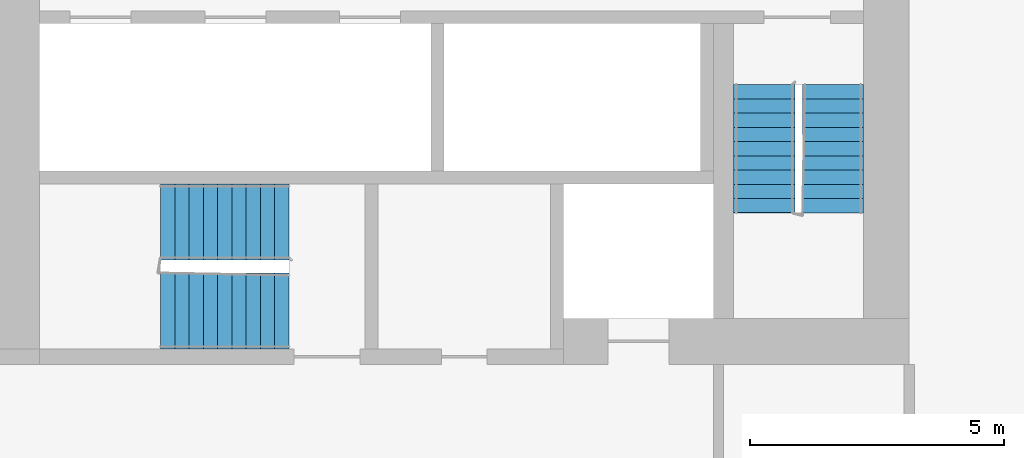
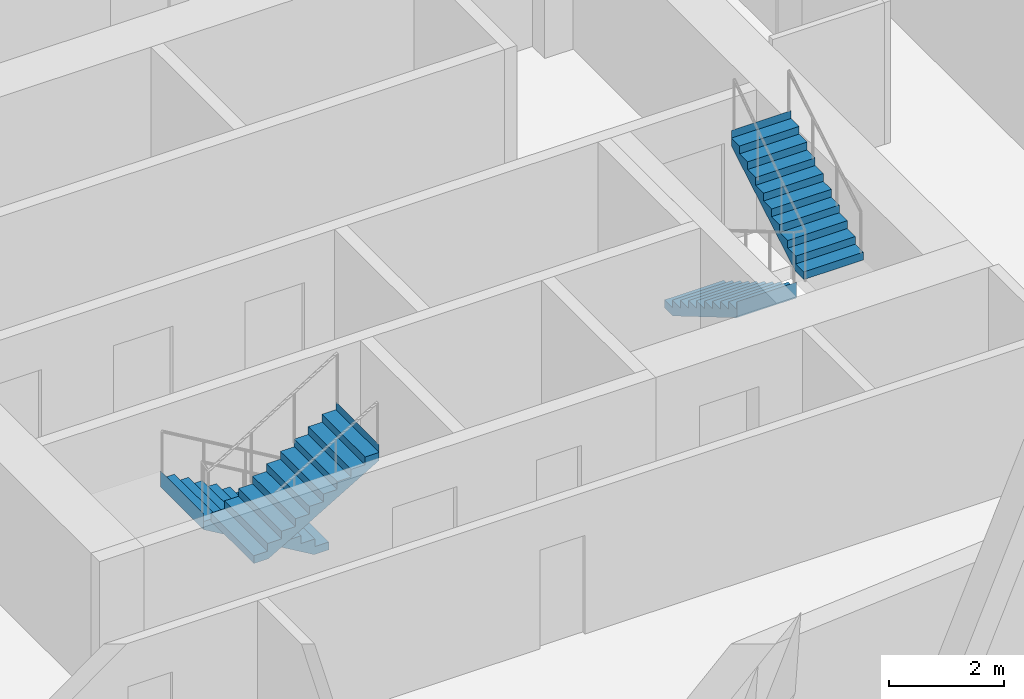
# One storey, part 9 of 13: 4 stair flights, 2 elements without a shape of their own.
"""IFC4 building model written with IfcOpenShell, lengths in metres."""

from ifc_helpers import new_model, si_unit, direction, frame, origin, place, context, subcontext, project, spatial, faceted_brep, material, type_object, element, aggregate, save


model = new_model("IFC4")

# Units and contexts
model_context = context("Model", 3, precision=1e-05, world=origin(), true_north=direction((0.0, 1.0)))
body_context = subcontext(model_context, "Body", "Model", "MODEL_VIEW")
ifc_project = project(units=[si_unit("LENGTHUNIT", "METRE"), si_unit("AREAUNIT", "SQUARE_METRE"), si_unit("VOLUMEUNIT", "CUBIC_METRE"), si_unit("PLANEANGLEUNIT", "RADIAN"), si_unit("MASSUNIT", "GRAM", prefix="KILO")], contexts=[model_context])

# Site, building, storey
site_placement = place(None, origin())
site = spatial("IfcSite", under=ifc_project, at=site_placement, CompositionType="ELEMENT")
building_placement = place(site_placement, origin())
building = spatial("IfcBuilding", under=site, at=building_placement, Name="Kajstack Hotel Tower", CompositionType="ELEMENT")
storey_placement = place(building_placement, frame((0.0, 0.0, 140.5)))
storey = spatial("IfcBuildingStorey", under=building, at=storey_placement, Name="L32", CompositionType="ELEMENT", Elevation=140.5)

# Stair, stair flights
ifc_material = material(Name="Concrete C40/50", Category="concrete")
stair_type_1 = type_object("IfcStairType", Name="Exit stair 1200", PredefinedType="HALF_TURN_STAIR", material=ifc_material)
stair_1_placement = place(storey_placement, origin())
stair_1 = element("IfcStair", 1, at=stair_1_placement, inside=storey, type_object=stair_type_1, Name="L32 stair W2", PredefinedType="HALF_TURN_STAIR")
stair_flight_type_1 = type_object("IfcStairFlightType", Name="Exit stair flight 1200", PredefinedType="STRAIGHT", material=ifc_material)
stair_flight_1_placement = place(storey_placement, frame((-16.35009765625, -10.0, 0.0), z_axis=(0.0, 0.0, 1.0), x_axis=(0.0, -1.0, 0.0)))
stair_flight_1 = element("IfcStairFlight", 2, at=stair_flight_1_placement, type_object=stair_flight_type_1, Name="W2 flight 1", NumberOfRisers=10, NumberOfTreads=9, PredefinedType="STRAIGHT", RiserHeight=0.165, TreadLength=0.28, context=body_context, shape_type="Brep", body=[
    faceted_brep([(0.295654296875, -0.60009765625, 0.0), (2.5205078125, -0.60009765625, 1.31103515625), (2.5205078125, -0.60009765625, 1.64990234375), (2.52001953125, -0.60009765625, 1.64990234375), (2.52001953125, -0.60009765625, 1.485107421875), (2.239990234375, -0.60009765625, 1.485107421875), (2.239990234375, -0.60009765625, 1.320068359375), (1.9599609375, -0.60009765625, 1.320068359375), (1.9599609375, -0.60009765625, 1.155029296875), (1.679931640625, -0.60009765625, 1.155029296875), (1.679931640625, -0.60009765625, 0.989990234375), (1.39990234375, -0.60009765625, 0.989990234375), (1.39990234375, -0.60009765625, 0.824951171875), (1.1201171875, -0.60009765625, 0.824951171875), (1.1201171875, -0.60009765625, 0.659912109375), (0.840087890625, -0.60009765625, 0.659912109375), (0.840087890625, -0.60009765625, 0.4951171875), (0.56005859375, -0.60009765625, 0.4951171875), (0.56005859375, -0.60009765625, 0.330078125), (0.280029296875, -0.60009765625, 0.330078125), (0.280029296875, -0.60009765625, 0.1650390625), (-0.00048828125, -0.60009765625, 0.1650390625), (-0.00048828125, -0.60009765625, 0.0), (-0.00048828125, 0.60009765625, 0.0), (-0.00048828125, 0.60009765625, 0.1650390625), (0.280029296875, 0.60009765625, 0.1650390625), (0.280029296875, 0.60009765625, 0.330078125), (0.56005859375, 0.60009765625, 0.330078125), (0.56005859375, 0.60009765625, 0.4951171875), (0.840087890625, 0.60009765625, 0.4951171875), (0.840087890625, 0.60009765625, 0.659912109375), (1.1201171875, 0.60009765625, 0.659912109375), (1.1201171875, 0.60009765625, 0.824951171875), (1.39990234375, 0.60009765625, 0.824951171875), (1.39990234375, 0.60009765625, 0.989990234375), (1.679931640625, 0.60009765625, 0.989990234375), (1.679931640625, 0.60009765625, 1.155029296875), (1.9599609375, 0.60009765625, 1.155029296875), (1.9599609375, 0.60009765625, 1.320068359375), (2.239990234375, 0.60009765625, 1.320068359375), (2.239990234375, 0.60009765625, 1.485107421875), (2.52001953125, 0.60009765625, 1.485107421875), (2.52001953125, 0.60009765625, 1.64990234375), (2.5205078125, 0.60009765625, 1.64990234375), (2.5205078125, 0.60009765625, 1.31103515625), (0.295654296875, 0.60009765625, 0.0), (-0.00048828125, -0.300048828125, 0.1650390625), (-0.00048828125, 0.0, 0.1650390625), (-0.00048828125, 0.300048828125, 0.1650390625), (-0.00048828125, 0.300048828125, 0.0), (-0.00048828125, 0.0, 0.0), (-0.00048828125, -0.300048828125, 0.0), (0.280029296875, -0.300048828125, 0.1650390625), (0.280029296875, 0.0, 0.1650390625), (0.280029296875, 0.300048828125, 0.1650390625), (0.280029296875, -0.300048828125, 0.330078125), (0.280029296875, 0.0, 0.330078125), (0.280029296875, 0.300048828125, 0.330078125), (0.56005859375, -0.300048828125, 0.330078125), (0.56005859375, 0.0, 0.330078125), (0.56005859375, 0.300048828125, 0.330078125), (0.56005859375, -0.300048828125, 0.4951171875), (0.56005859375, 0.0, 0.4951171875), (0.56005859375, 0.300048828125, 0.4951171875), (0.840087890625, -0.300048828125, 0.4951171875), (0.840087890625, 0.0, 0.4951171875), (0.840087890625, 0.300048828125, 0.4951171875), (0.840087890625, -0.300048828125, 0.659912109375), (0.840087890625, 0.0, 0.659912109375), (0.840087890625, 0.300048828125, 0.659912109375), (1.1201171875, -0.300048828125, 0.659912109375), (1.1201171875, 0.0, 0.659912109375), (1.1201171875, 0.300048828125, 0.659912109375), (1.1201171875, -0.300048828125, 0.824951171875), (1.1201171875, 0.0, 0.824951171875), (1.1201171875, 0.300048828125, 0.824951171875), (1.39990234375, -0.300048828125, 0.824951171875), (1.39990234375, 0.0, 0.824951171875), (1.39990234375, 0.300048828125, 0.824951171875), (1.39990234375, -0.300048828125, 0.989990234375), (1.39990234375, 0.0, 0.989990234375), (1.39990234375, 0.300048828125, 0.989990234375), (1.679931640625, -0.300048828125, 0.989990234375), (1.679931640625, 0.0, 0.989990234375), (1.679931640625, 0.300048828125, 0.989990234375), (1.679931640625, -0.300048828125, 1.155029296875), (1.679931640625, 0.0, 1.155029296875), (1.679931640625, 0.300048828125, 1.155029296875), (1.9599609375, -0.300048828125, 1.155029296875), (1.9599609375, 0.0, 1.155029296875), (1.9599609375, 0.300048828125, 1.155029296875), (1.9599609375, -0.300048828125, 1.320068359375), (1.9599609375, 0.0, 1.320068359375), (1.9599609375, 0.300048828125, 1.320068359375), (2.239990234375, -0.300048828125, 1.320068359375), (2.239990234375, 0.0, 1.320068359375), (2.239990234375, 0.300048828125, 1.320068359375), (2.239990234375, -0.300048828125, 1.485107421875), (2.239990234375, 0.0, 1.485107421875), (2.239990234375, 0.300048828125, 1.485107421875), (2.52001953125, -0.300048828125, 1.485107421875), (2.52001953125, 0.0, 1.485107421875), (2.52001953125, 0.300048828125, 1.485107421875), (2.52001953125, -0.300048828125, 1.64990234375), (2.52001953125, 0.0, 1.64990234375), (2.52001953125, 0.300048828125, 1.64990234375), (2.5205078125, -0.300048828125, 1.64990234375), (2.5205078125, 0.0, 1.64990234375), (2.5205078125, 0.300048828125, 1.64990234375), (2.5205078125, -0.300048828125, 1.31103515625), (2.5205078125, 0.0, 1.31103515625), (2.5205078125, 0.300048828125, 1.31103515625), (0.295654296875, -0.300048828125, 0.0), (0.295654296875, 0.0, 0.0), (0.295654296875, 0.300048828125, 0.0)], [[[0, 1, 2, 3, 4, 5, 6, 7, 8, 9, 10, 11, 12, 13, 14, 15, 16, 17, 18, 19, 20, 21, 22]], [[23, 24, 25, 26, 27, 28, 29, 30, 31, 32, 33, 34, 35, 36, 37, 38, 39, 40, 41, 42, 43, 44, 45]], [[21, 46, 47, 48, 24, 23, 49, 50, 51, 22]], [[20, 52, 53, 54, 25, 24, 48, 47, 46, 21]], [[19, 55, 56, 57, 26, 25, 54, 53, 52, 20]], [[18, 58, 59, 60, 27, 26, 57, 56, 55, 19]], [[17, 61, 62, 63, 28, 27, 60, 59, 58, 18]], [[16, 64, 65, 66, 29, 28, 63, 62, 61, 17]], [[15, 67, 68, 69, 30, 29, 66, 65, 64, 16]], [[14, 70, 71, 72, 31, 30, 69, 68, 67, 15]], [[13, 73, 74, 75, 32, 31, 72, 71, 70, 14]], [[12, 76, 77, 78, 33, 32, 75, 74, 73, 13]], [[11, 79, 80, 81, 34, 33, 78, 77, 76, 12]], [[10, 82, 83, 84, 35, 34, 81, 80, 79, 11]], [[9, 85, 86, 87, 36, 35, 84, 83, 82, 10]], [[8, 88, 89, 90, 37, 36, 87, 86, 85, 9]], [[7, 91, 92, 93, 38, 37, 90, 89, 88, 8]], [[6, 94, 95, 96, 39, 38, 93, 92, 91, 7]], [[5, 97, 98, 99, 40, 39, 96, 95, 94, 6]], [[4, 100, 101, 102, 41, 40, 99, 98, 97, 5]], [[3, 103, 104, 105, 42, 41, 102, 101, 100, 4]], [[2, 106, 107, 108, 43, 42, 105, 104, 103, 3]], [[1, 109, 110, 111, 44, 43, 108, 107, 106, 2]], [[0, 112, 113, 114, 45, 44, 111, 110, 109, 1]], [[22, 51, 50, 49, 23, 45, 114, 113, 112, 0]]]),
])
stair_flight_2_placement = place(storey_placement, frame((-15.0, -12.52001953125, 1.64990234375), z_axis=(0.0, 0.0, 1.0), x_axis=(0.0, 1.0, 0.0)))
stair_flight_2 = element("IfcStairFlight", 3, at=stair_flight_2_placement, type_object=stair_flight_type_1, Name="W2 flight 2", NumberOfRisers=10, NumberOfTreads=9, PredefinedType="STRAIGHT", RiserHeight=0.165, TreadLength=0.28, context=body_context, shape_type="Brep", body=[
    faceted_brep([(0.295654296875, -0.60009765625, 0.0), (2.5205078125, -0.60009765625, 1.31103515625), (2.5205078125, -0.60009765625, 1.64990234375), (2.52001953125, -0.60009765625, 1.64990234375), (2.52001953125, -0.60009765625, 1.485107421875), (2.239990234375, -0.60009765625, 1.485107421875), (2.239990234375, -0.60009765625, 1.320068359375), (1.9599609375, -0.60009765625, 1.320068359375), (1.9599609375, -0.60009765625, 1.155029296875), (1.679931640625, -0.60009765625, 1.155029296875), (1.679931640625, -0.60009765625, 0.989990234375), (1.39990234375, -0.60009765625, 0.989990234375), (1.39990234375, -0.60009765625, 0.824951171875), (1.1201171875, -0.60009765625, 0.824951171875), (1.1201171875, -0.60009765625, 0.659912109375), (0.840087890625, -0.60009765625, 0.659912109375), (0.840087890625, -0.60009765625, 0.4951171875), (0.56005859375, -0.60009765625, 0.4951171875), (0.56005859375, -0.60009765625, 0.330078125), (0.280029296875, -0.60009765625, 0.330078125), (0.280029296875, -0.60009765625, 0.1650390625), (-0.00048828125, -0.60009765625, 0.1650390625), (-0.00048828125, -0.60009765625, 0.0), (-0.00048828125, 0.60009765625, 0.0), (-0.00048828125, 0.60009765625, 0.1650390625), (0.280029296875, 0.60009765625, 0.1650390625), (0.280029296875, 0.60009765625, 0.330078125), (0.56005859375, 0.60009765625, 0.330078125), (0.56005859375, 0.60009765625, 0.4951171875), (0.840087890625, 0.60009765625, 0.4951171875), (0.840087890625, 0.60009765625, 0.659912109375), (1.1201171875, 0.60009765625, 0.659912109375), (1.1201171875, 0.60009765625, 0.824951171875), (1.39990234375, 0.60009765625, 0.824951171875), (1.39990234375, 0.60009765625, 0.989990234375), (1.679931640625, 0.60009765625, 0.989990234375), (1.679931640625, 0.60009765625, 1.155029296875), (1.9599609375, 0.60009765625, 1.155029296875), (1.9599609375, 0.60009765625, 1.320068359375), (2.239990234375, 0.60009765625, 1.320068359375), (2.239990234375, 0.60009765625, 1.485107421875), (2.52001953125, 0.60009765625, 1.485107421875), (2.52001953125, 0.60009765625, 1.64990234375), (2.5205078125, 0.60009765625, 1.64990234375), (2.5205078125, 0.60009765625, 1.31103515625), (0.295654296875, 0.60009765625, 0.0), (-0.00048828125, -0.300048828125, 0.1650390625), (-0.00048828125, 0.0, 0.1650390625), (-0.00048828125, 0.300048828125, 0.1650390625), (-0.00048828125, 0.300048828125, 0.0), (-0.00048828125, 0.0, 0.0), (-0.00048828125, -0.300048828125, 0.0), (0.280029296875, -0.300048828125, 0.1650390625), (0.280029296875, 0.0, 0.1650390625), (0.280029296875, 0.300048828125, 0.1650390625), (0.280029296875, -0.300048828125, 0.330078125), (0.280029296875, 0.0, 0.330078125), (0.280029296875, 0.300048828125, 0.330078125), (0.56005859375, -0.300048828125, 0.330078125), (0.56005859375, 0.0, 0.330078125), (0.56005859375, 0.300048828125, 0.330078125), (0.56005859375, -0.300048828125, 0.4951171875), (0.56005859375, 0.0, 0.4951171875), (0.56005859375, 0.300048828125, 0.4951171875), (0.840087890625, -0.300048828125, 0.4951171875), (0.840087890625, 0.0, 0.4951171875), (0.840087890625, 0.300048828125, 0.4951171875), (0.840087890625, -0.300048828125, 0.659912109375), (0.840087890625, 0.0, 0.659912109375), (0.840087890625, 0.300048828125, 0.659912109375), (1.1201171875, -0.300048828125, 0.659912109375), (1.1201171875, 0.0, 0.659912109375), (1.1201171875, 0.300048828125, 0.659912109375), (1.1201171875, -0.300048828125, 0.824951171875), (1.1201171875, 0.0, 0.824951171875), (1.1201171875, 0.300048828125, 0.824951171875), (1.39990234375, -0.300048828125, 0.824951171875), (1.39990234375, 0.0, 0.824951171875), (1.39990234375, 0.300048828125, 0.824951171875), (1.39990234375, -0.300048828125, 0.989990234375), (1.39990234375, 0.0, 0.989990234375), (1.39990234375, 0.300048828125, 0.989990234375), (1.679931640625, -0.300048828125, 0.989990234375), (1.679931640625, 0.0, 0.989990234375), (1.679931640625, 0.300048828125, 0.989990234375), (1.679931640625, -0.300048828125, 1.155029296875), (1.679931640625, 0.0, 1.155029296875), (1.679931640625, 0.300048828125, 1.155029296875), (1.9599609375, -0.300048828125, 1.155029296875), (1.9599609375, 0.0, 1.155029296875), (1.9599609375, 0.300048828125, 1.155029296875), (1.9599609375, -0.300048828125, 1.320068359375), (1.9599609375, 0.0, 1.320068359375), (1.9599609375, 0.300048828125, 1.320068359375), (2.239990234375, -0.300048828125, 1.320068359375), (2.239990234375, 0.0, 1.320068359375), (2.239990234375, 0.300048828125, 1.320068359375), (2.239990234375, -0.300048828125, 1.485107421875), (2.239990234375, 0.0, 1.485107421875), (2.239990234375, 0.300048828125, 1.485107421875), (2.52001953125, -0.300048828125, 1.485107421875), (2.52001953125, 0.0, 1.485107421875), (2.52001953125, 0.300048828125, 1.485107421875), (2.52001953125, -0.300048828125, 1.64990234375), (2.52001953125, 0.0, 1.64990234375), (2.52001953125, 0.300048828125, 1.64990234375), (2.5205078125, -0.300048828125, 1.64990234375), (2.5205078125, 0.0, 1.64990234375), (2.5205078125, 0.300048828125, 1.64990234375), (2.5205078125, -0.300048828125, 1.31103515625), (2.5205078125, 0.0, 1.31103515625), (2.5205078125, 0.300048828125, 1.31103515625), (0.295654296875, -0.300048828125, 0.0), (0.295654296875, 0.0, 0.0), (0.295654296875, 0.300048828125, 0.0)], [[[0, 1, 2, 3, 4, 5, 6, 7, 8, 9, 10, 11, 12, 13, 14, 15, 16, 17, 18, 19, 20, 21, 22]], [[23, 24, 25, 26, 27, 28, 29, 30, 31, 32, 33, 34, 35, 36, 37, 38, 39, 40, 41, 42, 43, 44, 45]], [[21, 46, 47, 48, 24, 23, 49, 50, 51, 22]], [[20, 52, 53, 54, 25, 24, 48, 47, 46, 21]], [[19, 55, 56, 57, 26, 25, 54, 53, 52, 20]], [[18, 58, 59, 60, 27, 26, 57, 56, 55, 19]], [[17, 61, 62, 63, 28, 27, 60, 59, 58, 18]], [[16, 64, 65, 66, 29, 28, 63, 62, 61, 17]], [[15, 67, 68, 69, 30, 29, 66, 65, 64, 16]], [[14, 70, 71, 72, 31, 30, 69, 68, 67, 15]], [[13, 73, 74, 75, 32, 31, 72, 71, 70, 14]], [[12, 76, 77, 78, 33, 32, 75, 74, 73, 13]], [[11, 79, 80, 81, 34, 33, 78, 77, 76, 12]], [[10, 82, 83, 84, 35, 34, 81, 80, 79, 11]], [[9, 85, 86, 87, 36, 35, 84, 83, 82, 10]], [[8, 88, 89, 90, 37, 36, 87, 86, 85, 9]], [[7, 91, 92, 93, 38, 37, 90, 89, 88, 8]], [[6, 94, 95, 96, 39, 38, 93, 92, 91, 7]], [[5, 97, 98, 99, 40, 39, 96, 95, 94, 6]], [[4, 100, 101, 102, 41, 40, 99, 98, 97, 5]], [[3, 103, 104, 105, 42, 41, 102, 101, 100, 4]], [[2, 106, 107, 108, 43, 42, 105, 104, 103, 3]], [[1, 109, 110, 111, 44, 43, 108, 107, 106, 2]], [[0, 112, 113, 114, 45, 44, 111, 110, 109, 1]], [[22, 51, 50, 49, 23, 45, 114, 113, 112, 0]]]),
])
aggregate(stair_1, [stair_flight_1, stair_flight_2])

stair_type_2 = type_object("IfcStairType", Name="Exit stair 1500", PredefinedType="HALF_TURN_STAIR", material=ifc_material)
stair_2_placement = place(storey_placement, origin())
stair_2 = element("IfcStair", 4, at=stair_2_placement, inside=storey, type_object=stair_type_2, Name="L32 stair W3", PredefinedType="HALF_TURN_STAIR")
stair_flight_type_2 = type_object("IfcStairFlightType", Name="Exit stair flight 1500", PredefinedType="STRAIGHT", material=ifc_material)
stair_flight_3_placement = place(storey_placement, frame((-25.699951171875, -12.699951171875, 0.0), z_axis=(0.0, 0.0, 1.0), x_axis=(-1.0, 0.0, 0.0)))
stair_flight_3 = element("IfcStairFlight", 5, at=stair_flight_3_placement, type_object=stair_flight_type_2, Name="W3 flight 1", NumberOfRisers=10, NumberOfTreads=9, PredefinedType="STRAIGHT", RiserHeight=0.165, TreadLength=0.28, context=body_context, shape_type="Brep", body=[
    faceted_brep([(0.295654296875, -0.75, 0.0), (2.5205078125, -0.75, 1.31103515625), (2.5205078125, -0.75, 1.64990234375), (2.52001953125, -0.75, 1.64990234375), (2.52001953125, -0.75, 1.485107421875), (2.239990234375, -0.75, 1.485107421875), (2.239990234375, -0.75, 1.320068359375), (1.9599609375, -0.75, 1.320068359375), (1.9599609375, -0.75, 1.155029296875), (1.679931640625, -0.75, 1.155029296875), (1.679931640625, -0.75, 0.989990234375), (1.39990234375, -0.75, 0.989990234375), (1.39990234375, -0.75, 0.824951171875), (1.1201171875, -0.75, 0.824951171875), (1.1201171875, -0.75, 0.659912109375), (0.840087890625, -0.75, 0.659912109375), (0.840087890625, -0.75, 0.4951171875), (0.56005859375, -0.75, 0.4951171875), (0.56005859375, -0.75, 0.330078125), (0.280029296875, -0.75, 0.330078125), (0.280029296875, -0.75, 0.1650390625), (-0.00048828125, -0.75, 0.1650390625), (-0.00048828125, -0.75, 0.0), (-0.00048828125, 0.75, 0.0), (-0.00048828125, 0.75, 0.1650390625), (0.280029296875, 0.75, 0.1650390625), (0.280029296875, 0.75, 0.330078125), (0.56005859375, 0.75, 0.330078125), (0.56005859375, 0.75, 0.4951171875), (0.840087890625, 0.75, 0.4951171875), (0.840087890625, 0.75, 0.659912109375), (1.1201171875, 0.75, 0.659912109375), (1.1201171875, 0.75, 0.824951171875), (1.39990234375, 0.75, 0.824951171875), (1.39990234375, 0.75, 0.989990234375), (1.679931640625, 0.75, 0.989990234375), (1.679931640625, 0.75, 1.155029296875), (1.9599609375, 0.75, 1.155029296875), (1.9599609375, 0.75, 1.320068359375), (2.239990234375, 0.75, 1.320068359375), (2.239990234375, 0.75, 1.485107421875), (2.52001953125, 0.75, 1.485107421875), (2.52001953125, 0.75, 1.64990234375), (2.5205078125, 0.75, 1.64990234375), (2.5205078125, 0.75, 1.31103515625), (0.295654296875, 0.75, 0.0), (-0.00048828125, -0.375, 0.1650390625), (-0.00048828125, 0.0, 0.1650390625), (-0.00048828125, 0.375, 0.1650390625), (-0.00048828125, 0.375, 0.0), (-0.00048828125, 0.0, 0.0), (-0.00048828125, -0.375, 0.0), (0.280029296875, -0.375, 0.1650390625), (0.280029296875, 0.0, 0.1650390625), (0.280029296875, 0.375, 0.1650390625), (0.280029296875, -0.375, 0.330078125), (0.280029296875, 0.0, 0.330078125), (0.280029296875, 0.375, 0.330078125), (0.56005859375, -0.375, 0.330078125), (0.56005859375, 0.0, 0.330078125), (0.56005859375, 0.375, 0.330078125), (0.56005859375, -0.375, 0.4951171875), (0.56005859375, 0.0, 0.4951171875), (0.56005859375, 0.375, 0.4951171875), (0.840087890625, -0.375, 0.4951171875), (0.840087890625, 0.0, 0.4951171875), (0.840087890625, 0.375, 0.4951171875), (0.840087890625, -0.375, 0.659912109375), (0.840087890625, 0.0, 0.659912109375), (0.840087890625, 0.375, 0.659912109375), (1.1201171875, -0.375, 0.659912109375), (1.1201171875, 0.0, 0.659912109375), (1.1201171875, 0.375, 0.659912109375), (1.1201171875, -0.375, 0.824951171875), (1.1201171875, 0.0, 0.824951171875), (1.1201171875, 0.375, 0.824951171875), (1.39990234375, -0.375, 0.824951171875), (1.39990234375, 0.0, 0.824951171875), (1.39990234375, 0.375, 0.824951171875), (1.39990234375, -0.375, 0.989990234375), (1.39990234375, 0.0, 0.989990234375), (1.39990234375, 0.375, 0.989990234375), (1.679931640625, -0.375, 0.989990234375), (1.679931640625, 0.0, 0.989990234375), (1.679931640625, 0.375, 0.989990234375), (1.679931640625, -0.375, 1.155029296875), (1.679931640625, 0.0, 1.155029296875), (1.679931640625, 0.375, 1.155029296875), (1.9599609375, -0.375, 1.155029296875), (1.9599609375, 0.0, 1.155029296875), (1.9599609375, 0.375, 1.155029296875), (1.9599609375, -0.375, 1.320068359375), (1.9599609375, 0.0, 1.320068359375), (1.9599609375, 0.375, 1.320068359375), (2.239990234375, -0.375, 1.320068359375), (2.239990234375, 0.0, 1.320068359375), (2.239990234375, 0.375, 1.320068359375), (2.239990234375, -0.375, 1.485107421875), (2.239990234375, 0.0, 1.485107421875), (2.239990234375, 0.375, 1.485107421875), (2.52001953125, -0.375, 1.485107421875), (2.52001953125, 0.0, 1.485107421875), (2.52001953125, 0.375, 1.485107421875), (2.52001953125, -0.375, 1.64990234375), (2.52001953125, 0.0, 1.64990234375), (2.52001953125, 0.375, 1.64990234375), (2.5205078125, -0.375, 1.64990234375), (2.5205078125, 0.0, 1.64990234375), (2.5205078125, 0.375, 1.64990234375), (2.5205078125, -0.375, 1.31103515625), (2.5205078125, 0.0, 1.31103515625), (2.5205078125, 0.375, 1.31103515625), (0.295654296875, -0.375, 0.0), (0.295654296875, 0.0, 0.0), (0.295654296875, 0.375, 0.0)], [[[0, 1, 2, 3, 4, 5, 6, 7, 8, 9, 10, 11, 12, 13, 14, 15, 16, 17, 18, 19, 20, 21, 22]], [[23, 24, 25, 26, 27, 28, 29, 30, 31, 32, 33, 34, 35, 36, 37, 38, 39, 40, 41, 42, 43, 44, 45]], [[21, 46, 47, 48, 24, 23, 49, 50, 51, 22]], [[20, 52, 53, 54, 25, 24, 48, 47, 46, 21]], [[19, 55, 56, 57, 26, 25, 54, 53, 52, 20]], [[18, 58, 59, 60, 27, 26, 57, 56, 55, 19]], [[17, 61, 62, 63, 28, 27, 60, 59, 58, 18]], [[16, 64, 65, 66, 29, 28, 63, 62, 61, 17]], [[15, 67, 68, 69, 30, 29, 66, 65, 64, 16]], [[14, 70, 71, 72, 31, 30, 69, 68, 67, 15]], [[13, 73, 74, 75, 32, 31, 72, 71, 70, 14]], [[12, 76, 77, 78, 33, 32, 75, 74, 73, 13]], [[11, 79, 80, 81, 34, 33, 78, 77, 76, 12]], [[10, 82, 83, 84, 35, 34, 81, 80, 79, 11]], [[9, 85, 86, 87, 36, 35, 84, 83, 82, 10]], [[8, 88, 89, 90, 37, 36, 87, 86, 85, 9]], [[7, 91, 92, 93, 38, 37, 90, 89, 88, 8]], [[6, 94, 95, 96, 39, 38, 93, 92, 91, 7]], [[5, 97, 98, 99, 40, 39, 96, 95, 94, 6]], [[4, 100, 101, 102, 41, 40, 99, 98, 97, 5]], [[3, 103, 104, 105, 42, 41, 102, 101, 100, 4]], [[2, 106, 107, 108, 43, 42, 105, 104, 103, 3]], [[1, 109, 110, 111, 44, 43, 108, 107, 106, 2]], [[0, 112, 113, 114, 45, 44, 111, 110, 109, 1]], [[22, 51, 50, 49, 23, 45, 114, 113, 112, 0]]]),
])
stair_flight_4_placement = place(storey_placement, frame((-28.219970703125, -14.449951171875, 1.64990234375), z_axis=(0.0, 0.0, 1.0), x_axis=(1.0, 0.0, 0.0)))
stair_flight_4 = element("IfcStairFlight", 6, at=stair_flight_4_placement, type_object=stair_flight_type_2, Name="W3 flight 2", NumberOfRisers=10, NumberOfTreads=9, PredefinedType="STRAIGHT", RiserHeight=0.165, TreadLength=0.28, context=body_context, shape_type="Brep", body=[
    faceted_brep([(0.295654296875, -0.75, 0.0), (2.5205078125, -0.75, 1.31103515625), (2.5205078125, -0.75, 1.64990234375), (2.52001953125, -0.75, 1.64990234375), (2.52001953125, -0.75, 1.485107421875), (2.239990234375, -0.75, 1.485107421875), (2.239990234375, -0.75, 1.320068359375), (1.9599609375, -0.75, 1.320068359375), (1.9599609375, -0.75, 1.155029296875), (1.679931640625, -0.75, 1.155029296875), (1.679931640625, -0.75, 0.989990234375), (1.39990234375, -0.75, 0.989990234375), (1.39990234375, -0.75, 0.824951171875), (1.1201171875, -0.75, 0.824951171875), (1.1201171875, -0.75, 0.659912109375), (0.840087890625, -0.75, 0.659912109375), (0.840087890625, -0.75, 0.4951171875), (0.56005859375, -0.75, 0.4951171875), (0.56005859375, -0.75, 0.330078125), (0.280029296875, -0.75, 0.330078125), (0.280029296875, -0.75, 0.1650390625), (-0.00048828125, -0.75, 0.1650390625), (-0.00048828125, -0.75, 0.0), (-0.00048828125, 0.75, 0.0), (-0.00048828125, 0.75, 0.1650390625), (0.280029296875, 0.75, 0.1650390625), (0.280029296875, 0.75, 0.330078125), (0.56005859375, 0.75, 0.330078125), (0.56005859375, 0.75, 0.4951171875), (0.840087890625, 0.75, 0.4951171875), (0.840087890625, 0.75, 0.659912109375), (1.1201171875, 0.75, 0.659912109375), (1.1201171875, 0.75, 0.824951171875), (1.39990234375, 0.75, 0.824951171875), (1.39990234375, 0.75, 0.989990234375), (1.679931640625, 0.75, 0.989990234375), (1.679931640625, 0.75, 1.155029296875), (1.9599609375, 0.75, 1.155029296875), (1.9599609375, 0.75, 1.320068359375), (2.239990234375, 0.75, 1.320068359375), (2.239990234375, 0.75, 1.485107421875), (2.52001953125, 0.75, 1.485107421875), (2.52001953125, 0.75, 1.64990234375), (2.5205078125, 0.75, 1.64990234375), (2.5205078125, 0.75, 1.31103515625), (0.295654296875, 0.75, 0.0), (-0.00048828125, -0.375, 0.1650390625), (-0.00048828125, 0.0, 0.1650390625), (-0.00048828125, 0.375, 0.1650390625), (-0.00048828125, 0.375, 0.0), (-0.00048828125, 0.0, 0.0), (-0.00048828125, -0.375, 0.0), (0.280029296875, -0.375, 0.1650390625), (0.280029296875, 0.0, 0.1650390625), (0.280029296875, 0.375, 0.1650390625), (0.280029296875, -0.375, 0.330078125), (0.280029296875, 0.0, 0.330078125), (0.280029296875, 0.375, 0.330078125), (0.56005859375, -0.375, 0.330078125), (0.56005859375, 0.0, 0.330078125), (0.56005859375, 0.375, 0.330078125), (0.56005859375, -0.375, 0.4951171875), (0.56005859375, 0.0, 0.4951171875), (0.56005859375, 0.375, 0.4951171875), (0.840087890625, -0.375, 0.4951171875), (0.840087890625, 0.0, 0.4951171875), (0.840087890625, 0.375, 0.4951171875), (0.840087890625, -0.375, 0.659912109375), (0.840087890625, 0.0, 0.659912109375), (0.840087890625, 0.375, 0.659912109375), (1.1201171875, -0.375, 0.659912109375), (1.1201171875, 0.0, 0.659912109375), (1.1201171875, 0.375, 0.659912109375), (1.1201171875, -0.375, 0.824951171875), (1.1201171875, 0.0, 0.824951171875), (1.1201171875, 0.375, 0.824951171875), (1.39990234375, -0.375, 0.824951171875), (1.39990234375, 0.0, 0.824951171875), (1.39990234375, 0.375, 0.824951171875), (1.39990234375, -0.375, 0.989990234375), (1.39990234375, 0.0, 0.989990234375), (1.39990234375, 0.375, 0.989990234375), (1.679931640625, -0.375, 0.989990234375), (1.679931640625, 0.0, 0.989990234375), (1.679931640625, 0.375, 0.989990234375), (1.679931640625, -0.375, 1.155029296875), (1.679931640625, 0.0, 1.155029296875), (1.679931640625, 0.375, 1.155029296875), (1.9599609375, -0.375, 1.155029296875), (1.9599609375, 0.0, 1.155029296875), (1.9599609375, 0.375, 1.155029296875), (1.9599609375, -0.375, 1.320068359375), (1.9599609375, 0.0, 1.320068359375), (1.9599609375, 0.375, 1.320068359375), (2.239990234375, -0.375, 1.320068359375), (2.239990234375, 0.0, 1.320068359375), (2.239990234375, 0.375, 1.320068359375), (2.239990234375, -0.375, 1.485107421875), (2.239990234375, 0.0, 1.485107421875), (2.239990234375, 0.375, 1.485107421875), (2.52001953125, -0.375, 1.485107421875), (2.52001953125, 0.0, 1.485107421875), (2.52001953125, 0.375, 1.485107421875), (2.52001953125, -0.375, 1.64990234375), (2.52001953125, 0.0, 1.64990234375), (2.52001953125, 0.375, 1.64990234375), (2.5205078125, -0.375, 1.64990234375), (2.5205078125, 0.0, 1.64990234375), (2.5205078125, 0.375, 1.64990234375), (2.5205078125, -0.375, 1.31103515625), (2.5205078125, 0.0, 1.31103515625), (2.5205078125, 0.375, 1.31103515625), (0.295654296875, -0.375, 0.0), (0.295654296875, 0.0, 0.0), (0.295654296875, 0.375, 0.0)], [[[0, 1, 2, 3, 4, 5, 6, 7, 8, 9, 10, 11, 12, 13, 14, 15, 16, 17, 18, 19, 20, 21, 22]], [[23, 24, 25, 26, 27, 28, 29, 30, 31, 32, 33, 34, 35, 36, 37, 38, 39, 40, 41, 42, 43, 44, 45]], [[21, 46, 47, 48, 24, 23, 49, 50, 51, 22]], [[20, 52, 53, 54, 25, 24, 48, 47, 46, 21]], [[19, 55, 56, 57, 26, 25, 54, 53, 52, 20]], [[18, 58, 59, 60, 27, 26, 57, 56, 55, 19]], [[17, 61, 62, 63, 28, 27, 60, 59, 58, 18]], [[16, 64, 65, 66, 29, 28, 63, 62, 61, 17]], [[15, 67, 68, 69, 30, 29, 66, 65, 64, 16]], [[14, 70, 71, 72, 31, 30, 69, 68, 67, 15]], [[13, 73, 74, 75, 32, 31, 72, 71, 70, 14]], [[12, 76, 77, 78, 33, 32, 75, 74, 73, 13]], [[11, 79, 80, 81, 34, 33, 78, 77, 76, 12]], [[10, 82, 83, 84, 35, 34, 81, 80, 79, 11]], [[9, 85, 86, 87, 36, 35, 84, 83, 82, 10]], [[8, 88, 89, 90, 37, 36, 87, 86, 85, 9]], [[7, 91, 92, 93, 38, 37, 90, 89, 88, 8]], [[6, 94, 95, 96, 39, 38, 93, 92, 91, 7]], [[5, 97, 98, 99, 40, 39, 96, 95, 94, 6]], [[4, 100, 101, 102, 41, 40, 99, 98, 97, 5]], [[3, 103, 104, 105, 42, 41, 102, 101, 100, 4]], [[2, 106, 107, 108, 43, 42, 105, 104, 103, 3]], [[1, 109, 110, 111, 44, 43, 108, 107, 106, 2]], [[0, 112, 113, 114, 45, 44, 111, 110, 109, 1]], [[22, 51, 50, 49, 23, 45, 114, 113, 112, 0]]]),
])
aggregate(stair_2, [stair_flight_3, stair_flight_4])

save(model, "model.ifc")
